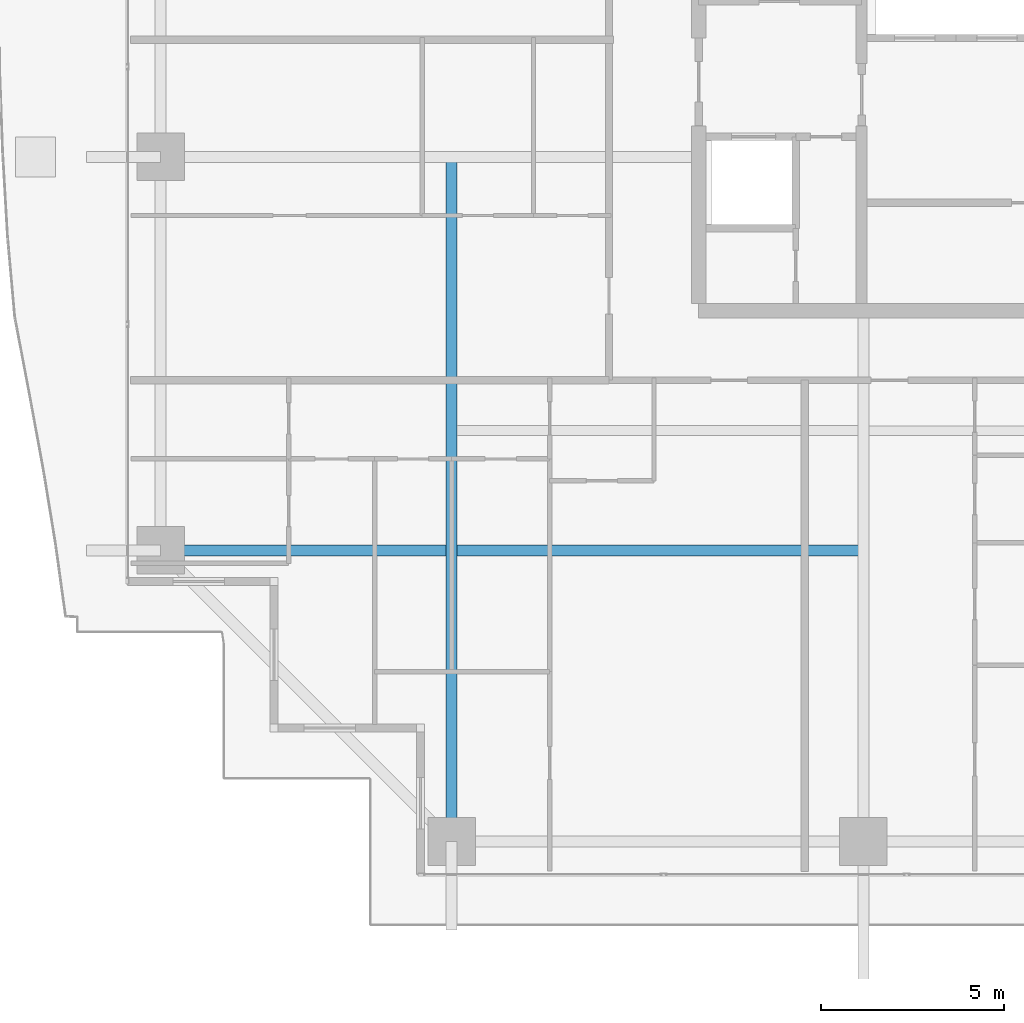
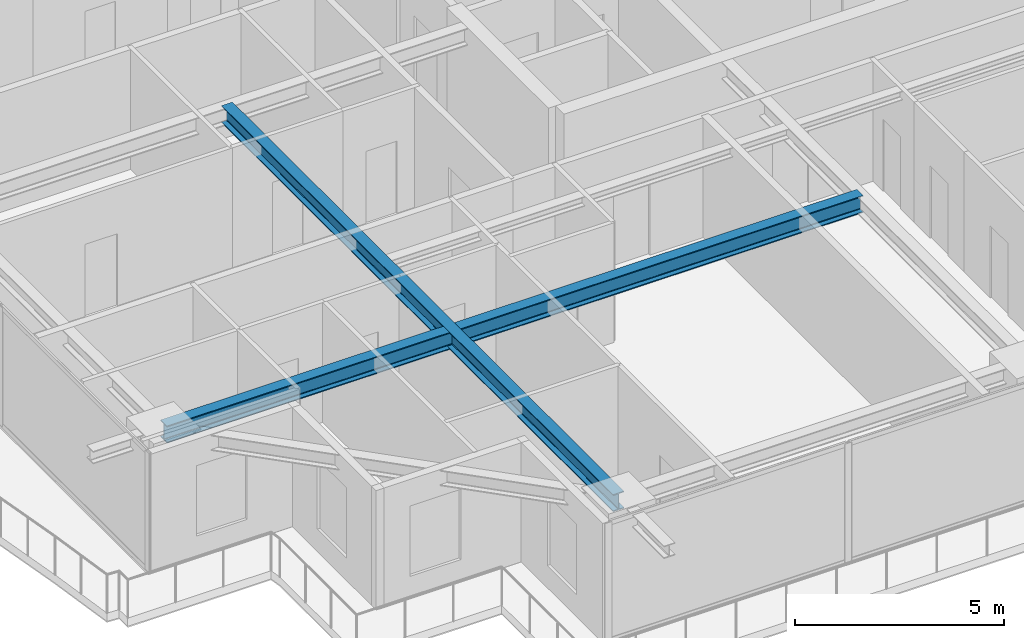
# One storey, part 4 of 37: 2 beams.
"""IFC4 building model written with IfcOpenShell, lengths in metres."""

from ifc_helpers import new_model, si_unit, direction, frame, origin, origin_2d, place, context, subcontext, project, spatial, i_section, extrude, source, transform, mapped, material, material_profile, profile_set, type_object, element, save


model = new_model("IFC4")

# Units and contexts
model_context = context("Model", 3, precision=1e-05, world=origin(), true_north=direction((0.0, 1.0)))
body_context = subcontext(model_context, "Body", "Model", "MODEL_VIEW")
ifc_project = project(units=[si_unit("LENGTHUNIT", "METRE"), si_unit("AREAUNIT", "SQUARE_METRE"), si_unit("VOLUMEUNIT", "CUBIC_METRE"), si_unit("PLANEANGLEUNIT", "RADIAN"), si_unit("MASSUNIT", "GRAM", prefix="KILO")], contexts=[model_context])

# Site, building, storey
site_placement = place(None, origin())
site = spatial("IfcSite", under=ifc_project, at=site_placement, CompositionType="ELEMENT")
building_placement = place(site_placement, origin())
building = spatial("IfcBuilding", under=site, at=building_placement, Name="Serunith Strait Residences", CompositionType="ELEMENT")
storey_placement = place(building_placement, frame((0.0, 0.0, 127.64990234375)))
storey = spatial("IfcBuildingStorey", under=building, at=storey_placement, Name="L31", CompositionType="ELEMENT", Elevation=127.64990234375)

# Beams
ifc_material = material(Name="Steel S355J2", Category="steel")
ifc_material_profile = material_profile(ifc_material, i_section(OverallWidth=0.300048828125, OverallDepth=0.5, WebThickness=0.014404296875, FlangeThickness=0.028076171875, FilletRadius=0.027099609375, at=origin_2d()), Name="HEB 500")
ifc_profile_set = profile_set([ifc_material_profile], Name="Steel S355J2")
beam_type = type_object("IfcBeamType", Name="BM-HEB500", PredefinedType="BEAM", material=ifc_profile_set)
shared_shape_1 = source(origin(), body_context, "Body", "SweptSolid", [
    extrude(i_section(OverallWidth=0.300048828125, OverallDepth=0.5, WebThickness=0.014404296875, FlangeThickness=0.028076171875, FilletRadius=0.027099609375, at=origin_2d()), origin(), (0.0, 0.0, 1.0), 18.699951171875),
])
beam_1_placement = place(storey_placement, frame((16.64990234375, 21.0, 3.237060546875), z_axis=(0.0, -1.0, 0.0), x_axis=(1.0, 0.0, 0.0)))
element("IfcBeam", 1, at=beam_1_placement, inside=storey, type_object=beam_type, Name="L31 Orthogonal Corner Girder TC-S1", PredefinedType="BEAM", context=body_context, shape_type="MappedRepresentation", body=[
    mapped(shared_shape_1, transform((0.0, 0.0, 0.0), scale=1.0)),
])
shared_shape_2 = source(origin(), body_context, "Body", "SweptSolid", [
    extrude(i_section(OverallWidth=0.300048828125, OverallDepth=0.5, WebThickness=0.014404296875, FlangeThickness=0.028076171875, FilletRadius=0.027099609375, at=origin_2d()), origin(), (0.0, 0.0, 1.0), 19.199951171875),
])
beam_2_placement = place(storey_placement, frame((27.89990234375, 10.25, 3.237060546875), z_axis=(-1.0, 0.0, 0.0), x_axis=(0.0, -1.0, 0.0)))
element("IfcBeam", 2, at=beam_2_placement, inside=storey, type_object=beam_type, Name="L31 Orthogonal Corner Girder TC-W1", PredefinedType="BEAM", context=body_context, shape_type="MappedRepresentation", body=[
    mapped(shared_shape_2, transform((0.0, 0.0, 0.0), scale=1.0)),
])

save(model, "model.ifc")
